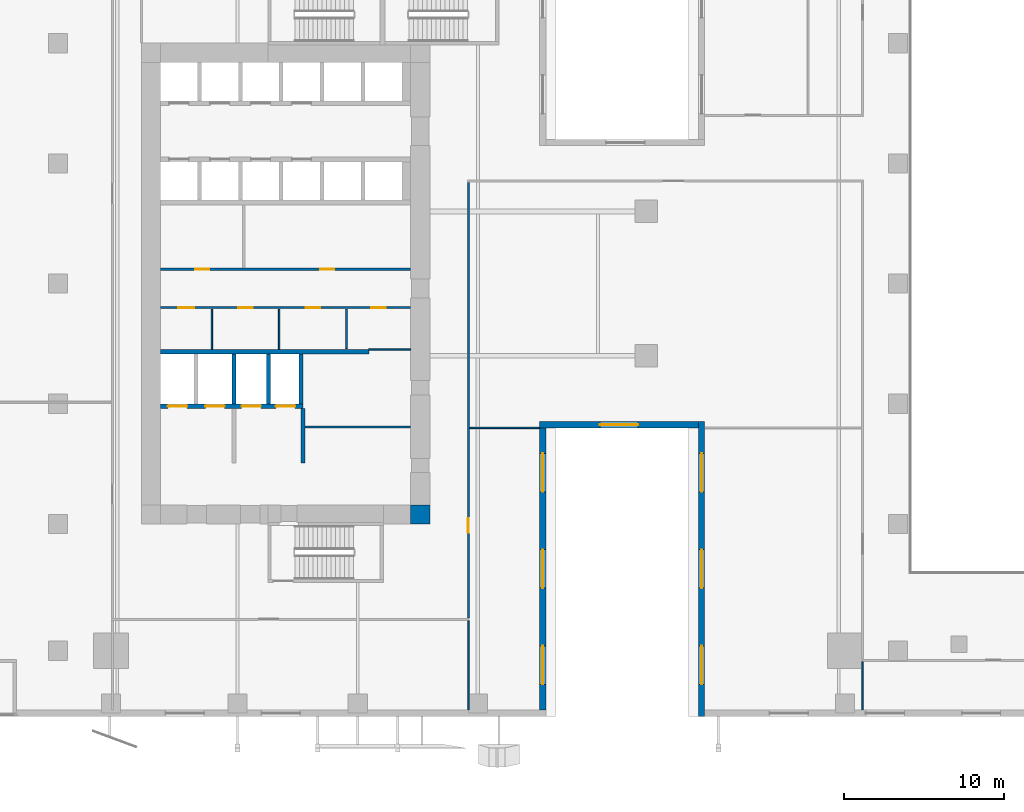
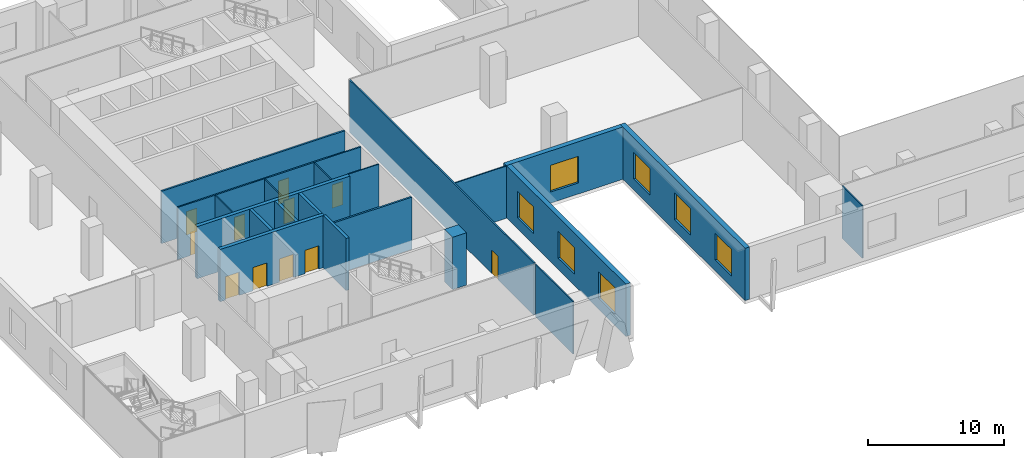
# One storey, part 11 of 22: 21 walls, 11 doors, 7 windows, 18 openings.
"""IFC4 building model written with IfcOpenShell, lengths in metres."""

from ifc_helpers import new_model, si_unit, direction, frame, frame_2d, origin, place, context, subcontext, project, spatial, rectangle, extrude, source, transform, mapped, material, layer, layer_set, type_object, element, fill, save


model = new_model("IFC4")

# Units and contexts
model_context = context("Model", 3, precision=1e-05, world=origin(), true_north=direction((0.0, 1.0)))
body_context = subcontext(model_context, "Body", "Model", "MODEL_VIEW")
ifc_project = project(units=[si_unit("LENGTHUNIT", "METRE"), si_unit("AREAUNIT", "SQUARE_METRE"), si_unit("VOLUMEUNIT", "CUBIC_METRE"), si_unit("PLANEANGLEUNIT", "RADIAN"), si_unit("MASSUNIT", "GRAM", prefix="KILO")], contexts=[model_context])

# Site, building, storey
site_placement = place(None, origin())
site = spatial("IfcSite", under=ifc_project, at=site_placement, CompositionType="ELEMENT")
building_placement = place(site_placement, origin())
building = spatial("IfcBuilding", under=site, at=building_placement, Name="Khomas Fold Tower", CompositionType="ELEMENT")
storey_placement = place(building_placement, frame((0.0, 0.0, 23.5)))
storey = spatial("IfcBuildingStorey", under=building, at=storey_placement, Name="L04", CompositionType="ELEMENT", Elevation=23.5)

# Walls
ifc_material_1 = material(Name="Concrete C70/85", Category="concrete")
ifc_layer_1 = layer(ifc_material_1, 1.199951171875)
ifc_layer_set_1 = layer_set([ifc_layer_1], Name="Concrete C70/85")
wall_type_1 = type_object("IfcWallType", Name="Core corner wall 1200", PredefinedType="SHEAR", material=ifc_layer_set_1)
shared_shape_1 = source(origin(), body_context, "Body", "SweptSolid", [
    extrude(rectangle(XDim=1.199951171875, YDim=1.199951171875, at=frame_2d((0.60009765625, 0.0))), origin(), (0.0, 0.0, 1.0), 4.699951171875),
])
wall_1_placement = place(storey_placement, frame((22.800048828125, 12.60009765625, 0.0), z_axis=(0.0, 0.0, 1.0), x_axis=(1.0, 0.0, 0.0)))
element("IfcWall", 1, at=wall_1_placement, inside=storey, type_object=wall_type_1, Name="Core wall CW-L-SE-B2", PredefinedType="SHEAR", context=body_context, shape_type="MappedRepresentation", body=[
    mapped(shared_shape_1, transform((0.0, 0.0, 0.0))),
])
ifc_material_2 = material(Name="Concrete C50/60", Category="concrete")
ifc_layer_2 = layer(ifc_material_2, 0.300048828125)
ifc_layer_set_2 = layer_set([ifc_layer_2], Name="Concrete C50/60")
wall_type_2 = type_object("IfcWallType", Name="Shaft wall 300", PredefinedType="STANDARD", material=ifc_layer_set_2)
shared_shape_2 = source(origin(), body_context, "Body", "SweptSolid", [
    extrude(rectangle(XDim=13.0, YDim=0.300048828125, at=frame_2d((6.5, 0.0))), origin(), (0.0, 0.0, 1.0), 4.699951171875),
])
wall_2_placement = place(storey_placement, frame((7.199951171875, 22.75, 0.0), z_axis=(0.0, 0.0, 1.0), x_axis=(1.0, 0.0, 0.0)))
element("IfcWall", 2, at=wall_2_placement, inside=storey, type_object=wall_type_2, Name="Core wall SW-FS-B", PredefinedType="STANDARD", context=body_context, shape_type="MappedRepresentation", body=[
    mapped(shared_shape_2, transform((0.0, 0.0, 0.0))),
])

# Wall, openings, doors
shared_shape_3 = source(origin(), body_context, "Body", "SweptSolid", [
    extrude(rectangle(XDim=8.875, YDim=0.300048828125, at=frame_2d((4.4375, 0.0))), origin(), (0.0, 0.0, 1.0), 4.699951171875),
])
wall_3_placement = place(storey_placement, frame((7.199951171875, 19.35009765625, 0.0), z_axis=(0.0, 0.0, 1.0), x_axis=(1.0, 0.0, 0.0)))
wall_3 = element("IfcWall", 3, at=wall_3_placement, inside=storey, type_object=wall_type_2, Name="Core wall SW-FS-F", PredefinedType="STANDARD", context=body_context, shape_type="MappedRepresentation", body=[
    mapped(shared_shape_3, transform((0.0, 0.0, 0.0))),
])
shared_shape_4 = source(origin(), body_context, "Body", "SweptSolid", [
    extrude(rectangle(XDim=1.199951171875, YDim=2.10009765625, at=frame_2d((0.60009765625, 1.050048828125))), frame((0.0, 0.159912109375, 0.0), z_axis=(0.0, -1.0, 0.0), x_axis=(1.0, 0.0, 0.0)), (0.0, 0.0, 1.0), 0.320068359375),
])
opening_1_placement = place(wall_3_placement, frame((0.449951171875, 0.0, 0.0)))
opening_1 = element("IfcOpeningElement", 4, at=opening_1_placement, cuts=wall_3, Name="Opening LD-SV1", PredefinedType="OPENING", context=body_context, shape_type="MappedRepresentation", body=[
    mapped(shared_shape_4, transform((0.0, 0.0, 0.0))),
])
opening_2_placement = place(wall_3_placement, frame((2.800048828125, 0.0, 0.0)))
opening_2 = element("IfcOpeningElement", 5, at=opening_2_placement, cuts=wall_3, Name="Opening LD-SV2", PredefinedType="OPENING", context=body_context, shape_type="MappedRepresentation", body=[
    mapped(shared_shape_4, transform((0.0, 0.0, 0.0))),
])
opening_3_placement = place(wall_3_placement, frame((5.050048828125, 0.0, 0.0)))
opening_3 = element("IfcOpeningElement", 6, at=opening_3_placement, cuts=wall_3, Name="Opening LD-FF1", PredefinedType="OPENING", context=body_context, shape_type="MappedRepresentation", body=[
    mapped(shared_shape_4, transform((0.0, 0.0, 0.0))),
])
opening_4_placement = place(wall_3_placement, frame((7.199951171875, 0.0, 0.0)))
opening_4 = element("IfcOpeningElement", 7, at=opening_4_placement, cuts=wall_3, Name="Opening LD-FF2", PredefinedType="OPENING", context=body_context, shape_type="MappedRepresentation", body=[
    mapped(shared_shape_4, transform((0.0, 0.0, 0.0))),
])
ifc_material_3 = material(Name="Steel door leaf", Category="steel")
door_type_1 = type_object("IfcDoorType", Name="Landing door 1200x2100", OperationType="DOUBLE_DOOR_SLIDING", PredefinedType="DOOR", material=ifc_material_3)
shared_shape_5 = source(origin(), body_context, "Body", "SweptSolid", [
    extrude(rectangle(XDim=1.199951171875, YDim=2.10009765625, at=frame_2d((0.60009765625, 1.050048828125))), frame((0.0, 0.02490234375, 0.0), z_axis=(0.0, -1.0, 0.0), x_axis=(1.0, 0.0, 0.0)), (0.0, 0.0, 1.0), 0.050048828125),
])
door_1_placement = place(opening_1_placement, origin())
door_1 = element("IfcDoor", 8, at=door_1_placement, inside=storey, type_object=door_type_1, Name="Lift landing door", OperationType="DOUBLE_DOOR_SLIDING", OverallHeight=2.10009765625, OverallWidth=1.199951171875, PredefinedType="DOOR", context=body_context, shape_type="MappedRepresentation", body=[
    mapped(shared_shape_5, transform((0.0, 0.0, 0.0))),
])
fill(opening_1, door_1)
door_2_placement = place(opening_2_placement, origin())
door_2 = element("IfcDoor", 9, at=door_2_placement, inside=storey, type_object=door_type_1, Name="Lift landing door", OperationType="DOUBLE_DOOR_SLIDING", OverallHeight=2.10009765625, OverallWidth=1.199951171875, PredefinedType="DOOR", context=body_context, shape_type="MappedRepresentation", body=[
    mapped(shared_shape_5, transform((0.0, 0.0, 0.0))),
])
fill(opening_2, door_2)
door_3_placement = place(opening_3_placement, origin())
door_3 = element("IfcDoor", 10, at=door_3_placement, inside=storey, type_object=door_type_1, Name="Lift landing door", OperationType="DOUBLE_DOOR_SLIDING", OverallHeight=2.10009765625, OverallWidth=1.199951171875, PredefinedType="DOOR", context=body_context, shape_type="MappedRepresentation", body=[
    mapped(shared_shape_5, transform((0.0, 0.0, 0.0))),
])
fill(opening_3, door_3)
door_4_placement = place(opening_4_placement, origin())
door_4 = element("IfcDoor", 11, at=door_4_placement, inside=storey, type_object=door_type_1, Name="Lift landing door", OperationType="DOUBLE_DOOR_SLIDING", OverallHeight=2.10009765625, OverallWidth=1.199951171875, PredefinedType="DOOR", context=body_context, shape_type="MappedRepresentation", body=[
    mapped(shared_shape_5, transform((0.0, 0.0, 0.0))),
])
fill(opening_4, door_4)

# Walls
ifc_material_4 = material(Name="Concrete C50/60", Category="concrete")
ifc_layer_3 = layer(ifc_material_4, 0.25)
ifc_layer_set_3 = layer_set([ifc_layer_3], Name="Concrete C50/60")
wall_type_3 = type_object("IfcWallType", Name="Shaft wall 250", PredefinedType="STANDARD", material=ifc_layer_set_3)
shared_shape_6 = source(origin(), body_context, "Body", "SweptSolid", [
    extrude(rectangle(XDim=3.10009765625, YDim=0.25, at=frame_2d((1.550048828125, 0.0))), origin(), (0.0, 0.0, 1.0), 4.699951171875),
])
for number, where, z_axis, x_axis, name in (
    (12, (11.77490234375, 19.5, 0.0), (0.0, 0.0, 1.0), (0.0, 1.0, 0.0), "Core wall SW-FS-P2"),
    (13, (13.925048828125, 19.5, 0.0), (0.0, 0.0, 1.0), (0.0, 1.0, 0.0), "Core wall SW-FS-P3"),
    (14, (15.949951171875, 19.5, 0.0), (0.0, 0.0, 1.0), (0.0, 1.0, 0.0), "Core wall SW-FS-PE"),
):
    element("IfcWall", number, at=place(storey_placement, frame(where, z_axis=z_axis, x_axis=x_axis)), inside=storey, type_object=wall_type_3, Name=name, PredefinedType="STANDARD", context=body_context, shape_type="MappedRepresentation", body=[
        mapped(shared_shape_6, transform((0.0, 0.0, 0.0))),
    ])
ifc_material_5 = material(Name="Concrete C50/60", Category="concrete")
ifc_layer_4 = layer(ifc_material_5, 0.25)
ifc_layer_set_4 = layer_set([ifc_layer_4], Name="Concrete C50/60")
wall_type_4 = type_object("IfcWallType", Name="Lobby wall 250", PredefinedType="STANDARD", material=ifc_layer_set_4)
shared_shape_7 = source(origin(), body_context, "Body", "SweptSolid", [
    extrude(rectangle(XDim=3.39990234375, YDim=0.25, at=frame_2d((1.699951171875, 0.0))), origin(), (0.0, 0.0, 1.0), 4.699951171875),
])
wall_4_placement = place(storey_placement, frame((16.074951171875, 15.800048828125, 0.0), z_axis=(0.0, 0.0, 1.0), x_axis=(0.0, 1.0, 0.0)))
element("IfcWall", 15, at=wall_4_placement, inside=storey, type_object=wall_type_4, Name="Core wall SW-FS-LOB-E", PredefinedType="STANDARD", context=body_context, shape_type="MappedRepresentation", body=[
    mapped(shared_shape_7, transform((0.0, 0.0, 0.0))),
])

# Wall, openings, windows
ifc_material_6 = material(Name="Concrete C40/50", Category="concrete")
ifc_layer_5 = layer(ifc_material_6, 0.39990234375)
ifc_layer_set_5 = layer_set([ifc_layer_5], Name="Concrete C40/50")
wall_type_5 = type_object("IfcWallType", Name="Stone-clad concrete wall 400", PredefinedType="SOLIDWALL", material=ifc_layer_set_5)
shared_shape_8 = source(origin(), body_context, "Body", "SweptSolid", [
    extrude(rectangle(XDim=17.60009765625, YDim=0.39990234375, at=frame_2d((8.800048828125, 0.0))), origin(), (0.0, 0.0, 1.0), 4.699951171875),
])
wall_5_placement = place(storey_placement, frame((31.050048828125, 0.39990234375, 0.0), z_axis=(0.0, 0.0, 1.0), x_axis=(0.0, 1.0, 0.0)))
wall_5 = element("IfcWall", 16, at=wall_5_placement, inside=storey, type_object=wall_type_5, Name="Podium wall", PredefinedType="SOLIDWALL", context=body_context, shape_type="MappedRepresentation", body=[
    mapped(shared_shape_8, transform((0.0, 0.0, 0.0))),
])
shared_shape_9 = source(origin(), body_context, "Body", "SweptSolid", [
    extrude(rectangle(XDim=2.39990234375, YDim=2.39990234375, at=frame_2d((1.199951171875, 1.199951171875))), frame((0.0, 0.2099609375, 0.0), z_axis=(0.0, -1.0, 0.0), x_axis=(1.0, 0.0, 0.0)), (0.0, 0.0, 1.0), 0.419921875),
])
opening_5_placement = place(wall_5_placement, frame((1.60009765625, 0.0, 1.0)))
opening_5 = element("IfcOpeningElement", 17, at=opening_5_placement, cuts=wall_5, Name="Opening PD-WN", PredefinedType="OPENING", context=body_context, shape_type="MappedRepresentation", body=[
    mapped(shared_shape_9, transform((0.0, 0.0, 0.0))),
])
opening_6_placement = place(wall_5_placement, frame((7.60009765625, 0.0, 1.0)))
opening_6 = element("IfcOpeningElement", 18, at=opening_6_placement, cuts=wall_5, Name="Opening PD-WN", PredefinedType="OPENING", context=body_context, shape_type="MappedRepresentation", body=[
    mapped(shared_shape_9, transform((0.0, 0.0, 0.0))),
])
opening_7_placement = place(wall_5_placement, frame((13.60009765625, 0.0, 1.0)))
opening_7 = element("IfcOpeningElement", 19, at=opening_7_placement, cuts=wall_5, Name="Opening PD-WN", PredefinedType="OPENING", context=body_context, shape_type="MappedRepresentation", body=[
    mapped(shared_shape_9, transform((0.0, 0.0, 0.0))),
])
ifc_material_7 = material(Name="Aluminium framed double glazing", Category="aluminium")
window_type = type_object("IfcWindowType", Name="Podium window 2400 x 2400", PartitioningType="SINGLE_PANEL", PredefinedType="WINDOW", material=ifc_material_7)
shared_shape_10 = source(origin(), body_context, "Body", "SweptSolid", [
    extrude(rectangle(XDim=2.39990234375, YDim=2.39990234375, at=frame_2d((1.199951171875, 1.199951171875))), frame((0.0, 0.030029296875, 0.0), z_axis=(0.0, -1.0, 0.0), x_axis=(1.0, 0.0, 0.0)), (0.0, 0.0, 1.0), 0.06005859375),
])
window_1_placement = place(opening_5_placement, origin())
window_1 = element("IfcWindow", 20, at=window_1_placement, inside=storey, type_object=window_type, Name="Podium window", OverallHeight=2.39990234375, OverallWidth=2.39990234375, PartitioningType="SINGLE_PANEL", PredefinedType="WINDOW", context=body_context, shape_type="MappedRepresentation", body=[
    mapped(shared_shape_10, transform((0.0, 0.0, 0.0))),
])
fill(opening_5, window_1)
window_2_placement = place(opening_6_placement, origin())
window_2 = element("IfcWindow", 21, at=window_2_placement, inside=storey, type_object=window_type, Name="Podium window", OverallHeight=2.39990234375, OverallWidth=2.39990234375, PartitioningType="SINGLE_PANEL", PredefinedType="WINDOW", context=body_context, shape_type="MappedRepresentation", body=[
    mapped(shared_shape_10, transform((0.0, 0.0, 0.0))),
])
fill(opening_6, window_2)
window_3_placement = place(opening_7_placement, origin())
window_3 = element("IfcWindow", 22, at=window_3_placement, inside=storey, type_object=window_type, Name="Podium window", OverallHeight=2.39990234375, OverallWidth=2.39990234375, PartitioningType="SINGLE_PANEL", PredefinedType="WINDOW", context=body_context, shape_type="MappedRepresentation", body=[
    mapped(shared_shape_10, transform((0.0, 0.0, 0.0))),
])
fill(opening_7, window_3)

shared_shape_11 = source(origin(), body_context, "Body", "SweptSolid", [
    extrude(rectangle(XDim=18.39990234375, YDim=0.39990234375, at=frame_2d((9.199951171875, 0.0))), origin(), (0.0, 0.0, 1.0), 4.699951171875),
])
wall_6_placement = place(storey_placement, frame((40.949951171875, 18.39990234375, 0.0), z_axis=(0.0, 0.0, 1.0), x_axis=(0.0, -1.0, 0.0)))
wall_6 = element("IfcWall", 23, at=wall_6_placement, inside=storey, type_object=wall_type_5, Name="Podium wall", PredefinedType="SOLIDWALL", context=body_context, shape_type="MappedRepresentation", body=[
    mapped(shared_shape_11, transform((0.0, 0.0, 0.0))),
])
opening_8_placement = place(wall_6_placement, frame((2.0, 0.0, 1.0)))
opening_8 = element("IfcOpeningElement", 24, at=opening_8_placement, cuts=wall_6, Name="Opening PD-WN", PredefinedType="OPENING", context=body_context, shape_type="MappedRepresentation", body=[
    mapped(shared_shape_9, transform((0.0, 0.0, 0.0))),
])
opening_9_placement = place(wall_6_placement, frame((8.0, 0.0, 1.0)))
opening_9 = element("IfcOpeningElement", 25, at=opening_9_placement, cuts=wall_6, Name="Opening PD-WN", PredefinedType="OPENING", context=body_context, shape_type="MappedRepresentation", body=[
    mapped(shared_shape_9, transform((0.0, 0.0, 0.0))),
])
opening_10_placement = place(wall_6_placement, frame((14.0, 0.0, 1.0)))
opening_10 = element("IfcOpeningElement", 26, at=opening_10_placement, cuts=wall_6, Name="Opening PD-WN", PredefinedType="OPENING", context=body_context, shape_type="MappedRepresentation", body=[
    mapped(shared_shape_9, transform((0.0, 0.0, 0.0))),
])
window_4_placement = place(opening_8_placement, origin())
window_4 = element("IfcWindow", 27, at=window_4_placement, inside=storey, type_object=window_type, Name="Podium window", OverallHeight=2.39990234375, OverallWidth=2.39990234375, PartitioningType="SINGLE_PANEL", PredefinedType="WINDOW", context=body_context, shape_type="MappedRepresentation", body=[
    mapped(shared_shape_10, transform((0.0, 0.0, 0.0))),
])
fill(opening_8, window_4)
window_5_placement = place(opening_9_placement, origin())
window_5 = element("IfcWindow", 28, at=window_5_placement, inside=storey, type_object=window_type, Name="Podium window", OverallHeight=2.39990234375, OverallWidth=2.39990234375, PartitioningType="SINGLE_PANEL", PredefinedType="WINDOW", context=body_context, shape_type="MappedRepresentation", body=[
    mapped(shared_shape_10, transform((0.0, 0.0, 0.0))),
])
fill(opening_9, window_5)
window_6_placement = place(opening_10_placement, origin())
window_6 = element("IfcWindow", 29, at=window_6_placement, inside=storey, type_object=window_type, Name="Podium window", OverallHeight=2.39990234375, OverallWidth=2.39990234375, PartitioningType="SINGLE_PANEL", PredefinedType="WINDOW", context=body_context, shape_type="MappedRepresentation", body=[
    mapped(shared_shape_10, transform((0.0, 0.0, 0.0))),
])
fill(opening_10, window_6)

# Wall, opening, window
shared_shape_12 = source(origin(), body_context, "Body", "SweptSolid", [
    extrude(rectangle(XDim=9.89990234375, YDim=0.39990234375, at=frame_2d((4.949951171875, 0.0))), origin(), (0.0, 0.0, 1.0), 4.699951171875),
])
wall_7_placement = place(storey_placement, frame((30.85009765625, 18.199951171875, 0.0), z_axis=(0.0, 0.0, 1.0), x_axis=(1.0, 0.0, 0.0)))
wall_7 = element("IfcWall", 30, at=wall_7_placement, inside=storey, type_object=wall_type_5, Name="Podium wall", PredefinedType="SOLIDWALL", context=body_context, shape_type="MappedRepresentation", body=[
    mapped(shared_shape_12, transform((0.0, 0.0, 0.0))),
])
opening_11_placement = place(wall_7_placement, frame((3.75, 0.0, 1.0)))
opening_11 = element("IfcOpeningElement", 31, at=opening_11_placement, cuts=wall_7, Name="Opening PD-WN", PredefinedType="OPENING", context=body_context, shape_type="MappedRepresentation", body=[
    mapped(shared_shape_9, transform((0.0, 0.0, 0.0))),
])
window_7_placement = place(opening_11_placement, origin())
window_7 = element("IfcWindow", 32, at=window_7_placement, inside=storey, type_object=window_type, Name="Podium window", OverallHeight=2.39990234375, OverallWidth=2.39990234375, PartitioningType="SINGLE_PANEL", PredefinedType="WINDOW", context=body_context, shape_type="MappedRepresentation", body=[
    mapped(shared_shape_10, transform((0.0, 0.0, 0.0))),
])
fill(opening_11, window_7)

# Walls
ifc_material_8 = material(Name="Plasterboard partition")
ifc_layer_6 = layer(ifc_material_8, 0.10009765625)
ifc_layer_set_6 = layer_set([ifc_layer_6], Name="Plasterboard partition")
wall_type_6 = type_object("IfcWallType", Name="Partition PW1 100", PredefinedType="PARTITIONING", material=ifc_layer_set_6)
shared_shape_13 = source(origin(), body_context, "Body", "SweptSolid", [
    extrude(rectangle(XDim=5.550048828125, YDim=0.10009765625, at=frame_2d((2.77490234375, 0.0))), origin(), (0.0, 0.0, 1.0), 4.699951171875),
])
wall_8_placement = place(storey_placement, frame((26.39990234375, 0.39990234375, 0.0), z_axis=(0.0, 0.0, 1.0), x_axis=(0.0, 1.0, 0.0)))
element("IfcWall", 33, at=wall_8_placement, inside=storey, type_object=wall_type_6, Name="Partition", PredefinedType="PARTITIONING", context=body_context, shape_type="MappedRepresentation", body=[
    mapped(shared_shape_13, transform((0.0, 0.0, 0.0))),
])
shared_shape_14 = source(origin(), body_context, "Body", "SweptSolid", [
    extrude(rectangle(XDim=3.0, YDim=0.10009765625, at=frame_2d((1.5, 0.0))), origin(), (0.0, 0.0, 1.0), 4.699951171875),
])
wall_9_placement = place(storey_placement, frame((51.0, 0.39990234375, 0.0), z_axis=(0.0, 0.0, 1.0), x_axis=(0.0, 1.0, 0.0)))
element("IfcWall", 34, at=wall_9_placement, inside=storey, type_object=wall_type_6, Name="Partition", PredefinedType="PARTITIONING", context=body_context, shape_type="MappedRepresentation", body=[
    mapped(shared_shape_14, transform((0.0, 0.0, 0.0))),
])

# Wall, opening, door
ifc_material_9 = material(Name="Plasterboard partition")
ifc_layer_7 = layer(ifc_material_9, 0.125)
ifc_layer_set_7 = layer_set([ifc_layer_7], Name="Plasterboard partition")
wall_type_7 = type_object("IfcWallType", Name="Partition PW2 125", PredefinedType="PARTITIONING", material=ifc_layer_set_7)
shared_shape_15 = source(origin(), body_context, "Body", "SweptSolid", [
    extrude(rectangle(XDim=27.150146484375, YDim=0.125, at=frame_2d((13.5751953125, 0.0))), origin(), (0.0, 0.0, 1.0), 4.699951171875),
])
wall_10_placement = place(storey_placement, frame((26.39990234375, 6.14990234375, 0.0), z_axis=(0.0, 0.0, 1.0), x_axis=(0.0, 1.0, 0.0)))
wall_10 = element("IfcWall", 35, at=wall_10_placement, inside=storey, type_object=wall_type_7, Name="Partition", PredefinedType="PARTITIONING", context=body_context, shape_type="MappedRepresentation", body=[
    mapped(shared_shape_15, transform((0.0, 0.0, 0.0))),
])
shared_shape_16 = source(origin(), body_context, "Body", "SweptSolid", [
    extrude(rectangle(XDim=0.89990234375, YDim=2.10009765625, at=frame_2d((0.449951171875, 1.050048828125))), frame((0.0, 0.072509765625, 0.0), z_axis=(0.0, -1.0, 0.0), x_axis=(1.0, 0.0, 0.0)), (0.0, 0.0, 1.0), 0.14501953125),
])
opening_12_placement = place(wall_10_placement, frame((5.300048828125, 0.0, 0.0)))
opening_12 = element("IfcOpeningElement", 36, at=opening_12_placement, cuts=wall_10, Name="Opening 0007", PredefinedType="OPENING", context=body_context, shape_type="MappedRepresentation", body=[
    mapped(shared_shape_16, transform((0.0, 0.0, 0.0))),
])
ifc_material_10 = material(Name="Timber door leaf", Category="wood")
door_type_2 = type_object("IfcDoorType", Name="Door 900x2100 left-hand", OperationType="SINGLE_SWING_LEFT", PredefinedType="DOOR", material=ifc_material_10)
shared_shape_17 = source(origin(), body_context, "Body", "SweptSolid", [
    extrude(rectangle(XDim=0.89990234375, YDim=2.10009765625, at=frame_2d((0.449951171875, 1.050048828125))), frame((0.0, 0.02490234375, 0.0), z_axis=(0.0, -1.0, 0.0), x_axis=(1.0, 0.0, 0.0)), (0.0, 0.0, 1.0), 0.050048828125),
])
door_5_placement = place(opening_12_placement, origin())
door_5 = element("IfcDoor", 37, at=door_5_placement, inside=storey, type_object=door_type_2, Name="Door", OperationType="SINGLE_SWING_LEFT", OverallHeight=2.10009765625, OverallWidth=0.89990234375, PredefinedType="DOOR", context=body_context, shape_type="MappedRepresentation", body=[
    mapped(shared_shape_17, transform((0.0, 0.0, 0.0))),
])
fill(opening_12, door_5)

# Wall
ifc_material_11 = material(Name="Plasterboard fire partition")
ifc_layer_8 = layer(ifc_material_11, 0.14990234375)
ifc_layer_set_8 = layer_set([ifc_layer_8], Name="Plasterboard fire partition")
wall_type_8 = type_object("IfcWallType", Name="Plant room wall PW3 150", PredefinedType="PARTITIONING", material=ifc_layer_set_8)
shared_shape_18 = source(origin(), body_context, "Body", "SweptSolid", [
    extrude(rectangle(XDim=6.60009765625, YDim=0.14990234375, at=frame_2d((3.300048828125, 0.0))), origin(), (0.0, 0.0, 1.0), 4.699951171875),
])
wall_11_placement = place(storey_placement, frame((16.199951171875, 18.050048828125, 0.0), z_axis=(0.0, 0.0, 1.0), x_axis=(1.0, 0.0, 0.0)))
element("IfcWall", 38, at=wall_11_placement, inside=storey, type_object=wall_type_8, Name="Plant room wall", PredefinedType="PARTITIONING", context=body_context, shape_type="MappedRepresentation", body=[
    mapped(shared_shape_18, transform((0.0, 0.0, 0.0))),
])

# Wall, openings, doors
shared_shape_19 = source(origin(), body_context, "Body", "SweptSolid", [
    extrude(rectangle(XDim=15.60009765625, YDim=0.125, at=frame_2d((7.800048828125, 0.0))), origin(), (0.0, 0.0, 1.0), 4.699951171875),
])
wall_12_placement = place(storey_placement, frame((7.199951171875, 25.5, 0.0), z_axis=(0.0, 0.0, 1.0), x_axis=(1.0, 0.0, 0.0)))
wall_12 = element("IfcWall", 39, at=wall_12_placement, inside=storey, type_object=wall_type_7, Name="Partition", PredefinedType="PARTITIONING", context=body_context, shape_type="MappedRepresentation", body=[
    mapped(shared_shape_19, transform((0.0, 0.0, 0.0))),
])
shared_shape_20 = source(origin(), body_context, "Body", "SweptSolid", [
    extrude(rectangle(XDim=1.0, YDim=2.10009765625, at=frame_2d((0.5, 1.050048828125))), frame((0.0, 0.072509765625, 0.0), z_axis=(0.0, -1.0, 0.0), x_axis=(1.0, 0.0, 0.0)), (0.0, 0.0, 1.0), 0.14501953125),
])
opening_13_placement = place(wall_12_placement, frame((1.10009765625, 0.0, 0.0)))
opening_13 = element("IfcOpeningElement", 40, at=opening_13_placement, cuts=wall_12, Name="Opening 0006", PredefinedType="OPENING", context=body_context, shape_type="MappedRepresentation", body=[
    mapped(shared_shape_20, transform((0.0, 0.0, 0.0))),
])
opening_14_placement = place(wall_12_placement, frame((4.85009765625, 0.0, 0.0)))
opening_14 = element("IfcOpeningElement", 41, at=opening_14_placement, cuts=wall_12, Name="Opening 0005", PredefinedType="OPENING", context=body_context, shape_type="MappedRepresentation", body=[
    mapped(shared_shape_16, transform((0.0, 0.0, 0.0))),
])
opening_15_placement = place(wall_12_placement, frame((9.050048828125, 0.0, 0.0)))
opening_15 = element("IfcOpeningElement", 42, at=opening_15_placement, cuts=wall_12, Name="Opening 0004", PredefinedType="OPENING", context=body_context, shape_type="MappedRepresentation", body=[
    mapped(shared_shape_16, transform((0.0, 0.0, 0.0))),
])
opening_16_placement = place(wall_12_placement, frame((13.14990234375, 0.0, 0.0)))
opening_16 = element("IfcOpeningElement", 43, at=opening_16_placement, cuts=wall_12, Name="Opening 0007", PredefinedType="OPENING", context=body_context, shape_type="MappedRepresentation", body=[
    mapped(shared_shape_16, transform((0.0, 0.0, 0.0))),
])
ifc_material_12 = material(Name="Timber door leaf", Category="wood")
door_type_3 = type_object("IfcDoorType", Name="WC door 900x2100 left-hand", OperationType="SINGLE_SWING_LEFT", PredefinedType="DOOR", material=ifc_material_12)
door_6_placement = place(opening_14_placement, origin())
door_6 = element("IfcDoor", 44, at=door_6_placement, inside=storey, type_object=door_type_3, Name="WC door", OperationType="SINGLE_SWING_LEFT", OverallHeight=2.10009765625, OverallWidth=0.89990234375, PredefinedType="DOOR", context=body_context, shape_type="MappedRepresentation", body=[
    mapped(shared_shape_17, transform((0.0, 0.0, 0.0))),
])
fill(opening_14, door_6)
ifc_material_13 = material(Name="Timber door leaf", Category="wood")
door_type_4 = type_object("IfcDoorType", Name="WC door 900x2100 right-hand", OperationType="SINGLE_SWING_RIGHT", PredefinedType="DOOR", material=ifc_material_13)
door_7_placement = place(opening_15_placement, origin())
door_7 = element("IfcDoor", 45, at=door_7_placement, inside=storey, type_object=door_type_4, Name="WC door", OperationType="SINGLE_SWING_RIGHT", OverallHeight=2.10009765625, OverallWidth=0.89990234375, PredefinedType="DOOR", context=body_context, shape_type="MappedRepresentation", body=[
    mapped(shared_shape_17, transform((0.0, 0.0, 0.0))),
])
fill(opening_15, door_7)
door_8_placement = place(opening_16_placement, origin())
door_8 = element("IfcDoor", 46, at=door_8_placement, inside=storey, type_object=door_type_2, Name="Door", OperationType="SINGLE_SWING_LEFT", OverallHeight=2.10009765625, OverallWidth=0.89990234375, PredefinedType="DOOR", context=body_context, shape_type="MappedRepresentation", body=[
    mapped(shared_shape_17, transform((0.0, 0.0, 0.0))),
])
fill(opening_16, door_8)
ifc_material_14 = material(Name="Timber door leaf", Category="wood")
door_type_5 = type_object("IfcDoorType", Name="WC door 1000x2100 right-hand", OperationType="SINGLE_SWING_RIGHT", PredefinedType="DOOR", material=ifc_material_14)
shared_shape_21 = source(origin(), body_context, "Body", "SweptSolid", [
    extrude(rectangle(XDim=1.0, YDim=2.10009765625, at=frame_2d((0.5, 1.050048828125))), frame((0.0, 0.02490234375, 0.0), z_axis=(0.0, -1.0, 0.0), x_axis=(1.0, 0.0, 0.0)), (0.0, 0.0, 1.0), 0.050048828125),
])
door_9_placement = place(opening_13_placement, origin())
door_9 = element("IfcDoor", 47, at=door_9_placement, inside=storey, type_object=door_type_5, Name="WC door", OperationType="SINGLE_SWING_RIGHT", OverallHeight=2.10009765625, OverallWidth=1.0, PredefinedType="DOOR", context=body_context, shape_type="MappedRepresentation", body=[
    mapped(shared_shape_21, transform((0.0, 0.0, 0.0))),
])
fill(opening_13, door_9)

# Walls
shared_shape_22 = source(origin(), body_context, "Body", "SweptSolid", [
    extrude(rectangle(XDim=4.35009765625, YDim=0.10009765625, at=frame_2d((2.175048828125, 0.0))), origin(), (0.0, 0.0, 1.0), 4.699951171875),
])
wall_13_placement = place(storey_placement, frame((26.5, 18.0, 0.0), z_axis=(0.0, 0.0, 1.0), x_axis=(1.0, 0.0, 0.0)))
element("IfcWall", 48, at=wall_13_placement, inside=storey, type_object=wall_type_6, Name="Partition", PredefinedType="PARTITIONING", context=body_context, shape_type="MappedRepresentation", body=[
    mapped(shared_shape_22, transform((0.0, 0.0, 0.0))),
])
shared_shape_23 = source(origin(), body_context, "Body", "SweptSolid", [
    extrude(rectangle(XDim=2.5, YDim=0.10009765625, at=frame_2d((1.25, 0.0))), origin(), (0.0, 0.0, 1.0), 4.699951171875),
])
for number, where, z_axis, x_axis, name in (
    (49, (10.39990234375, 22.89990234375, 0.0), (0.0, 0.0, 1.0), (0.0, 1.0, 0.0), "Partition"),
    (50, (14.60009765625, 22.89990234375, 0.0), (0.0, 0.0, 1.0), (0.0, 1.0, 0.0), "Partition"),
):
    element("IfcWall", number, at=place(storey_placement, frame(where, z_axis=z_axis, x_axis=x_axis)), inside=storey, type_object=wall_type_6, Name=name, PredefinedType="PARTITIONING", context=body_context, shape_type="MappedRepresentation", body=[
        mapped(shared_shape_23, transform((0.0, 0.0, 0.0))),
    ])
shared_shape_24 = source(origin(), body_context, "Body", "SweptSolid", [
    extrude(rectangle(XDim=2.60009765625, YDim=0.10009765625, at=frame_2d((1.300048828125, 0.0))), origin(), (0.0, 0.0, 1.0), 4.699951171875),
])
wall_14_placement = place(storey_placement, frame((20.199951171875, 22.89990234375, 0.0), z_axis=(0.0, 0.0, 1.0), x_axis=(1.0, 0.0, 0.0)))
element("IfcWall", 51, at=wall_14_placement, inside=storey, type_object=wall_type_6, Name="Partition", PredefinedType="PARTITIONING", context=body_context, shape_type="MappedRepresentation", body=[
    mapped(shared_shape_24, transform((0.0, 0.0, 0.0))),
])
shared_shape_25 = source(origin(), body_context, "Body", "SweptSolid", [
    extrude(rectangle(XDim=2.449951171875, YDim=0.10009765625, at=frame_2d((1.22509765625, 0.0))), origin(), (0.0, 0.0, 1.0), 4.699951171875),
])
wall_15_placement = place(storey_placement, frame((18.800048828125, 22.949951171875, 0.0), z_axis=(0.0, 0.0, 1.0), x_axis=(0.0, 1.0, 0.0)))
element("IfcWall", 52, at=wall_15_placement, inside=storey, type_object=wall_type_6, Name="Partition", PredefinedType="PARTITIONING", context=body_context, shape_type="MappedRepresentation", body=[
    mapped(shared_shape_25, transform((0.0, 0.0, 0.0))),
])

# Wall, openings, doors
shared_shape_26 = source(origin(), body_context, "Body", "SweptSolid", [
    extrude(rectangle(XDim=15.60009765625, YDim=0.14990234375, at=frame_2d((7.800048828125, 0.0))), origin(), (0.0, 0.0, 1.0), 4.699951171875),
])
wall_16_placement = place(storey_placement, frame((7.199951171875, 27.89990234375, 0.0), z_axis=(0.0, 0.0, 1.0), x_axis=(1.0, 0.0, 0.0)))
wall_16 = element("IfcWall", 53, at=wall_16_placement, inside=storey, type_object=wall_type_8, Name="Plant room wall", PredefinedType="PARTITIONING", context=body_context, shape_type="MappedRepresentation", body=[
    mapped(shared_shape_26, transform((0.0, 0.0, 0.0))),
])
shared_shape_27 = source(origin(), body_context, "Body", "SweptSolid", [
    extrude(rectangle(XDim=0.89990234375, YDim=2.10009765625, at=frame_2d((0.449951171875, 1.050048828125))), frame((0.0, 0.0849609375, 0.0), z_axis=(0.0, -1.0, 0.0), x_axis=(1.0, 0.0, 0.0)), (0.0, 0.0, 1.0), 0.169921875),
])
opening_17_placement = place(wall_16_placement, frame((2.14990234375, 0.0, 0.0)))
opening_17 = element("IfcOpeningElement", 54, at=opening_17_placement, cuts=wall_16, Name="Opening 0002", PredefinedType="OPENING", context=body_context, shape_type="MappedRepresentation", body=[
    mapped(shared_shape_27, transform((0.0, 0.0, 0.0))),
])
opening_18_placement = place(wall_16_placement, frame((9.949951171875, 0.0, 0.0)))
opening_18 = element("IfcOpeningElement", 55, at=opening_18_placement, cuts=wall_16, Name="Opening 0003", PredefinedType="OPENING", context=body_context, shape_type="MappedRepresentation", body=[
    mapped(shared_shape_27, transform((0.0, 0.0, 0.0))),
])
ifc_material_15 = material(Name="Steel door leaf", Category="steel")
door_type_6 = type_object("IfcDoorType", Name="Plant room door 900x2100 left-hand", OperationType="SINGLE_SWING_LEFT", PredefinedType="DOOR", material=ifc_material_15)
door_10_placement = place(opening_17_placement, origin())
door_10 = element("IfcDoor", 56, at=door_10_placement, inside=storey, type_object=door_type_6, Name="Plant room door", OperationType="SINGLE_SWING_LEFT", OverallHeight=2.10009765625, OverallWidth=0.89990234375, PredefinedType="DOOR", context=body_context, shape_type="MappedRepresentation", body=[
    mapped(shared_shape_17, transform((0.0, 0.0, 0.0))),
])
fill(opening_17, door_10)
ifc_material_16 = material(Name="Steel door leaf", Category="steel")
door_type_7 = type_object("IfcDoorType", Name="Plant room door 900x2100 right-hand", OperationType="SINGLE_SWING_RIGHT", PredefinedType="DOOR", material=ifc_material_16)
door_11_placement = place(opening_18_placement, origin())
door_11 = element("IfcDoor", 57, at=door_11_placement, inside=storey, type_object=door_type_7, Name="Plant room door", OperationType="SINGLE_SWING_RIGHT", OverallHeight=2.10009765625, OverallWidth=0.89990234375, PredefinedType="DOOR", context=body_context, shape_type="MappedRepresentation", body=[
    mapped(shared_shape_17, transform((0.0, 0.0, 0.0))),
])
fill(opening_18, door_11)

save(model, "model.ifc")
